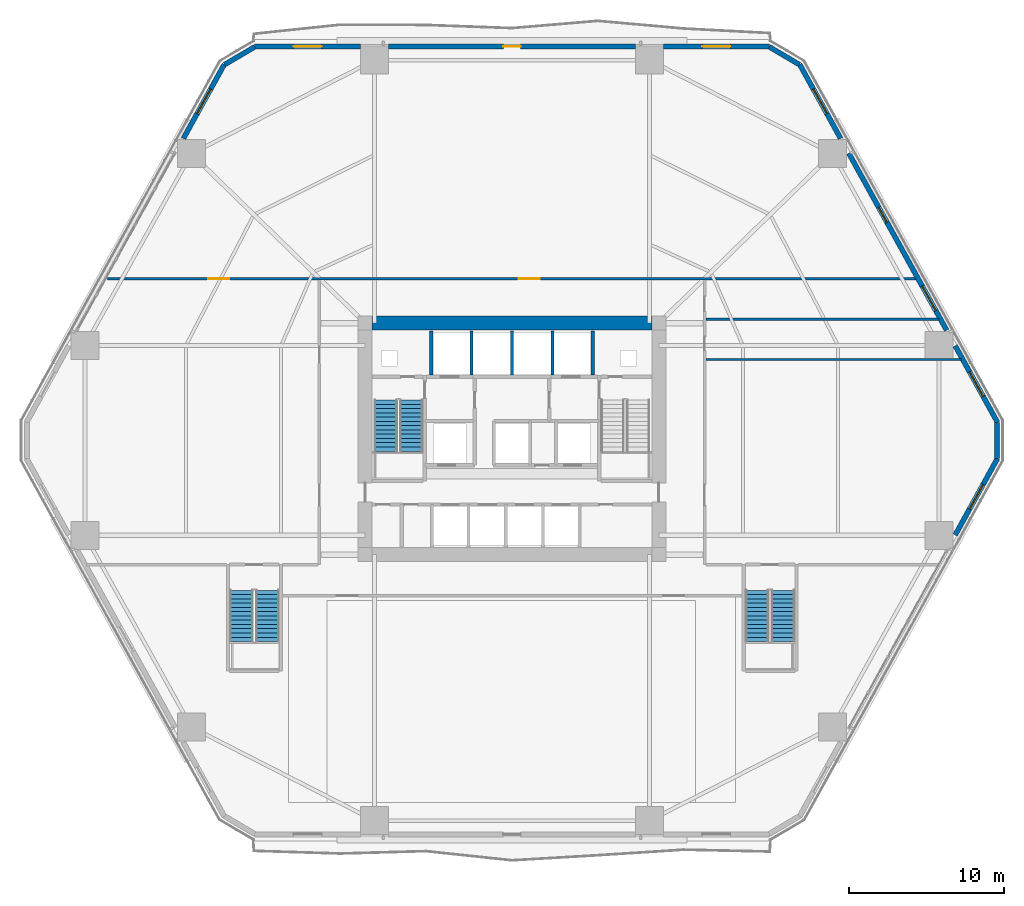
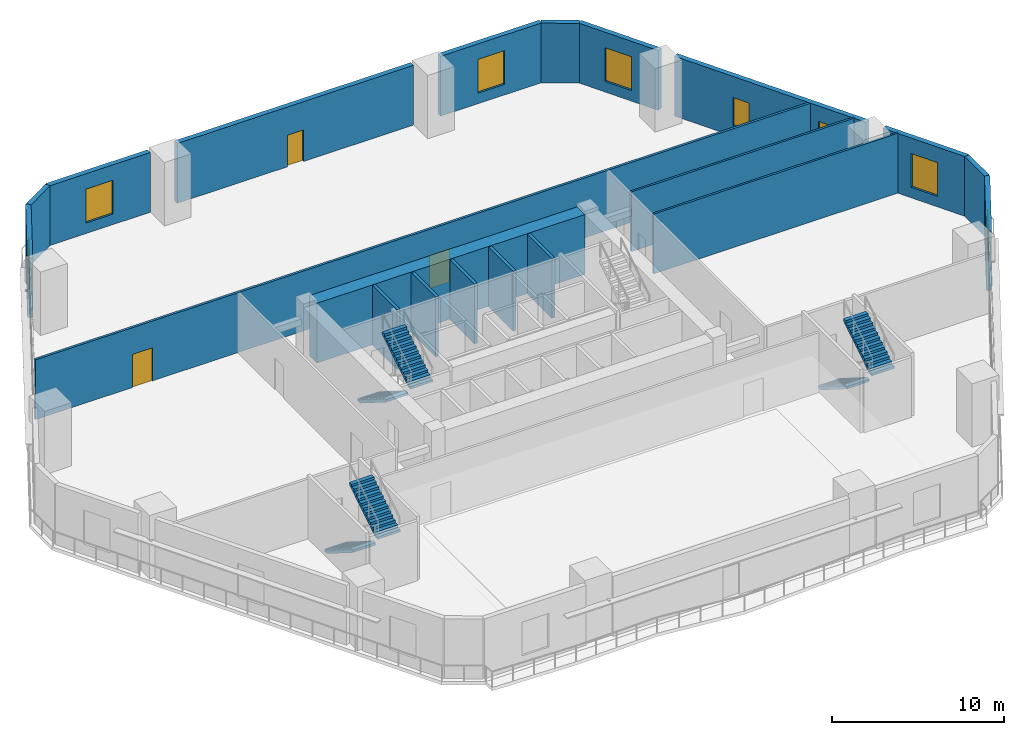
# One storey, part 11 of 21: 20 walls, 8 windows, 6 stair flights, 3 doors, 11 openings, 3 elements without a shape of their own.
"""IFC4 building model written with IfcOpenShell, lengths in metres."""

from ifc_helpers import new_model, si_unit, direction, frame, frame_2d, origin, place, context, subcontext, project, spatial, polyline, rectangle, outline, extrude, material, layer, layer_set, type_object, element, fill, aggregate, save


model = new_model("IFC4")

# Units and contexts
model_context = context("Model", 3, precision=1e-05, world=origin(), true_north=direction((0.0, 1.0)))
body_context = subcontext(model_context, "Body", "Model", "MODEL_VIEW")
ifc_project = project(units=[si_unit("LENGTHUNIT", "METRE"), si_unit("AREAUNIT", "SQUARE_METRE"), si_unit("VOLUMEUNIT", "CUBIC_METRE"), si_unit("PLANEANGLEUNIT", "RADIAN"), si_unit("MASSUNIT", "GRAM", prefix="KILO")], contexts=[model_context])

# Site, building, storey
site_placement = place(None, origin())
site = spatial("IfcSite", under=ifc_project, at=site_placement, CompositionType="ELEMENT")
building_placement = place(site_placement, origin())
building = spatial("IfcBuilding", under=site, at=building_placement, Name="Cinnabar Lancet Tower", CompositionType="ELEMENT")
storey_placement = place(building_placement, frame((0.0, 0.0, 6.0)))
storey = spatial("IfcBuildingStorey", under=building, at=storey_placement, Name="L01", CompositionType="ELEMENT", Elevation=6.0)

# Wall, openings, doors
ifc_material_1 = material(Name="Acoustic twin-stud gypsum partition", Category="gypsum")
ifc_layer_1 = layer(ifc_material_1, 0.159912109375)
ifc_layer_set_1 = layer_set([ifc_layer_1], Name="Acoustic twin-stud gypsum partition")
wall_type_1 = type_object("IfcWallType", Name="ARC-WL-CORR-160", PredefinedType="PARTITIONING", material=ifc_layer_set_1)
wall_1_placement = place(storey_placement, frame((6.345947265625, 36.199951171875, 0.0), z_axis=(0.0, 0.0, 1.0), x_axis=(1.0, 0.0, 0.0)))
wall_1 = element("IfcWall", 1, at=wall_1_placement, inside=storey, type_object=wall_type_1, Name="PW-L01-NHL", PredefinedType="PARTITIONING", context=body_context, shape_type="SweptSolid", body=[
    extrude(rectangle(XDim=52.108154296875, YDim=0.159912109375, at=frame_2d((26.05419921875, 0.0))), origin(), (0.0, 0.0, 1.0), 4.25),
])
opening_1_placement = place(wall_1_placement, frame((6.5, 0.0, 0.0)))
opening_1 = element("IfcOpeningElement", 2, at=opening_1_placement, cuts=wall_1, Name="Opening UD-02", PredefinedType="OPENING", context=body_context, shape_type="SweptSolid", body=[
    extrude(rectangle(XDim=1.35009765625, YDim=2.35009765625, at=frame_2d((0.675048828125, 1.175048828125))), frame((0.0, 0.08984375, 0.0), z_axis=(0.0, -1.0, 0.0), x_axis=(1.0, 0.0, 0.0)), (0.0, 0.0, 1.0), 0.179931640625),
])
opening_2_placement = place(wall_1_placement, frame((26.5, 0.0, 0.0)))
opening_2 = element("IfcOpeningElement", 3, at=opening_2_placement, cuts=wall_1, Name="Opening UD-02", PredefinedType="OPENING", context=body_context, shape_type="SweptSolid", body=[
    extrude(rectangle(XDim=1.35009765625, YDim=2.35009765625, at=frame_2d((0.675048828125, 1.175048828125))), frame((0.0, 0.08984375, 0.0), z_axis=(0.0, -1.0, 0.0), x_axis=(1.0, 0.0, 0.0)), (0.0, 0.0, 1.0), 0.179931640625),
])
ifc_material_2 = material(Name="Double-leaf solid timber penthouse entrance door", Category="wood")
door_type_1 = type_object("IfcDoorType", Name="ARC-DR-UNIT-PH", OperationType="NOTDEFINED", PredefinedType="DOOR", material=ifc_material_2)
door_1_placement = place(opening_1_placement, origin())
door_1 = element("IfcDoor", 4, at=door_1_placement, inside=storey, type_object=door_type_1, Name="DR-L01-NORTH1", OperationType="SINGLE_SWING_LEFT", OverallHeight=2.35009765625, OverallWidth=1.35009765625, PredefinedType="DOOR", context=body_context, shape_type="SweptSolid", body=[
    extrude(rectangle(XDim=1.35009765625, YDim=2.35009765625, at=frame_2d((0.675048828125, 1.175048828125))), frame((0.0, 0.02490234375, 0.0), z_axis=(0.0, -1.0, 0.0), x_axis=(1.0, 0.0, 0.0)), (0.0, 0.0, 1.0), 0.050048828125),
])
fill(opening_1, door_1)
door_2_placement = place(opening_2_placement, origin())
door_2 = element("IfcDoor", 5, at=door_2_placement, inside=storey, type_object=door_type_1, Name="DR-L01-NORTH2", OperationType="SINGLE_SWING_RIGHT", OverallHeight=2.35009765625, OverallWidth=1.35009765625, PredefinedType="DOOR", context=body_context, shape_type="SweptSolid", body=[
    extrude(rectangle(XDim=1.35009765625, YDim=2.35009765625, at=frame_2d((0.675048828125, 1.175048828125))), frame((0.0, 0.02490234375, 0.0), z_axis=(0.0, -1.0, 0.0), x_axis=(1.0, 0.0, 0.0)), (0.0, 0.0, 1.0), 0.050048828125),
])
fill(opening_2, door_2)

# Walls
ifc_material_3 = material(Name="Autoclaved aerated concrete blockwork", Category="masonry")
ifc_layer_2 = layer(ifc_material_3, 0.199951171875)
ifc_layer_set_2 = layer_set([ifc_layer_2], Name="Autoclaved aerated concrete blockwork")
wall_type_2 = type_object("IfcWallType", Name="ARC-WL-SHAFT-200", PredefinedType="PLUMBINGWALL", material=ifc_layer_set_2)
for number, where, z_axis, x_axis, name in (
    (6, (27.199951171875, 30.0, 0.0), (0.0, 0.0, 1.0), (0.0, 1.0, 0.0), "CW-NSH-D1-L01"),
    (7, (29.800048828125, 30.0, 0.0), (0.0, 0.0, 1.0), (0.0, 1.0, 0.0), "CW-NSH-D2-L01"),
    (8, (32.39990234375, 30.0, 0.0), (0.0, 0.0, 1.0), (0.0, 1.0, 0.0), "CW-NSH-D3-L01"),
    (9, (35.0, 30.0, 0.0), (0.0, 0.0, 1.0), (0.0, 1.0, 0.0), "CW-NSH-D4-L01"),
    (10, (37.60009765625, 30.0, 0.0), (0.0, 0.0, 1.0), (0.0, 1.0, 0.0), "CW-NSH-D5-L01"),
):
    element("IfcWall", number, at=place(storey_placement, frame(where, z_axis=z_axis, x_axis=x_axis)), inside=storey, type_object=wall_type_2, Name=name, PredefinedType="PLUMBINGWALL", context=body_context, shape_type="SweptSolid", body=[
        extrude(rectangle(XDim=2.85009765625, YDim=0.199951171875, at=frame_2d((1.425048828125, 0.0))), origin(), (0.0, 0.0, 1.0), 4.25),
    ])
ifc_material_4 = material(Name="Moisture-resistant cement-board plumbing wall", Category="masonry")
ifc_layer_3 = layer(ifc_material_4, 0.139892578125)
ifc_layer_set_3 = layer_set([ifc_layer_3], Name="Moisture-resistant cement-board plumbing wall")
wall_type_3 = type_object("IfcWallType", Name="ARC-WL-WET-140", PredefinedType="PLUMBINGWALL", material=ifc_layer_set_3)
wall_2_placement = place(storey_placement, frame((44.885009765625, 31.0, 0.0), z_axis=(0.0, 0.0, 1.0), x_axis=(1.0, 0.0, 0.0)))
element("IfcWall", 11, at=wall_2_placement, inside=storey, type_object=wall_type_3, Name="PW-L01-WCS", PredefinedType="PLUMBINGWALL", context=body_context, shape_type="SweptSolid", body=[
    extrude(rectangle(XDim=16.44189453125, YDim=0.139892578125, at=frame_2d((8.220947265625, 0.0))), origin(), (0.0, 0.0, 1.0), 4.25),
])
wall_3_placement = place(storey_placement, frame((44.885009765625, 33.60009765625, 0.0), z_axis=(0.0, 0.0, 1.0), x_axis=(1.0, 0.0, 0.0)))
element("IfcWall", 12, at=wall_3_placement, inside=storey, type_object=wall_type_3, Name="PW-L01-WCM", PredefinedType="PLUMBINGWALL", context=body_context, shape_type="SweptSolid", body=[
    extrude(rectangle(XDim=15.006103515625, YDim=0.139892578125, at=frame_2d((7.5029296875, 0.0))), origin(), (0.0, 0.0, 1.0), 4.25),
])
ifc_material_5 = material(Name="Warm buff clay brick", Category="masonry")
ifc_layer_4 = layer(ifc_material_5, 0.320068359375)
ifc_layer_set_4 = layer_set([ifc_layer_4], Name="Warm buff clay brick")
wall_type_4 = type_object("IfcWallType", Name="ENV-WL-BRK-BUF-320", PredefinedType="STANDARD", material=ifc_layer_set_4)
wall_4_placement = place(storey_placement, frame((63.635009765625, 24.64599609375, 0.0), z_axis=(0.0, 0.0, 1.0), x_axis=(0.0, 1.0, 0.0)))
element("IfcWall", 13, at=wall_4_placement, inside=storey, type_object=wall_type_4, Name="L01 Chamfered Corner Brick Pier 3.1", PredefinedType="STANDARD", context=body_context, shape_type="SweptSolid", body=[
    extrude(rectangle(XDim=2.30810546875, YDim=0.320068359375, at=frame_2d((1.154052734375, 0.0))), origin(), (0.0, 0.0, 1.0), 4.25),
])
wall_5_placement = place(storey_placement, frame((50.903076171875, 49.991943359375, 0.0), z_axis=(0.0, 0.0, 1.0), x_axis=(-0.861209017918, 0.508250949293, 0.0)))
element("IfcWall", 14, at=wall_5_placement, inside=storey, type_object=wall_type_4, Name="L01 Chamfered Corner Brick Pier 4.1", PredefinedType="STANDARD", context=body_context, shape_type="SweptSolid", body=[
    extrude(rectangle(XDim=2.2529296875, YDim=0.320068359375, at=frame_2d((1.12646484375, 0.0))), origin(), (0.0, 0.0, 1.0), 4.25),
])
wall_6_placement = place(storey_placement, frame((15.8369140625, 51.136962890625, 0.0), z_axis=(0.0, 0.0, 1.0), x_axis=(-0.861181020205, -0.508298387209, 0.0)))
element("IfcWall", 15, at=wall_6_placement, inside=storey, type_object=wall_type_4, Name="L01 Chamfered Corner Brick Pier 5.1", PredefinedType="STANDARD", context=body_context, shape_type="SweptSolid", body=[
    extrude(rectangle(XDim=2.252685546875, YDim=0.320068359375, at=frame_2d((1.12646484375, 0.0))), origin(), (0.0, 0.0, 1.0), 4.25),
])

# Wall, opening, window
wall_7_placement = place(storey_placement, frame((60.93408203125, 19.7119140625, 0.0), z_axis=(0.0, 0.0, 1.0), x_axis=(0.483638013798, 0.875268114128, 0.0)))
wall_7 = element("IfcWall", 16, at=wall_7_placement, inside=storey, type_object=wall_type_4, Name="L01 Face 2 Masonry Bay Wall 3", PredefinedType="STANDARD", context=body_context, shape_type="SweptSolid", body=[
    extrude(rectangle(XDim=5.6279296875, YDim=0.320068359375, at=frame_2d((2.81396484375, 0.0))), origin(), (0.0, 0.0, 1.0), 4.25),
])
opening_3_placement = place(wall_7_placement, frame((1.9140625, 0.0, 0.75)))
opening_3 = element("IfcOpeningElement", 17, at=opening_3_placement, cuts=wall_7, Name="Opening WN-05", PredefinedType="OPENING", context=body_context, shape_type="SweptSolid", body=[
    extrude(rectangle(XDim=1.800048828125, YDim=2.39990234375, at=frame_2d((0.89990234375, 1.199951171875))), frame((0.0, 0.169921875, 0.0), z_axis=(0.0, -1.0, 0.0), x_axis=(1.0, 0.0, 0.0)), (0.0, 0.0, 1.0), 0.340087890625),
])
ifc_material_6 = material(Name="Thermally broken bronze-anodized aluminium podium lancet window", Category="aluminium")
window_type_1 = type_object("IfcWindowType", Name="ENV-WN-POD-1800", PartitioningType="SINGLE_PANEL", PredefinedType="WINDOW", material=ifc_material_6)
window_1_placement = place(opening_3_placement, origin())
window_1 = element("IfcWindow", 18, at=window_1_placement, inside=storey, type_object=window_type_1, Name="L01 Face 2 Gothic Lancet Window 3", OverallHeight=2.39990234375, OverallWidth=1.800048828125, PartitioningType="SINGLE_PANEL", PredefinedType="WINDOW", context=body_context, shape_type="SweptSolid", body=[
    extrude(rectangle(XDim=1.800048828125, YDim=2.39990234375, at=frame_2d((0.89990234375, 1.199951171875))), frame((0.0, 0.030029296875, 0.0), z_axis=(0.0, -1.0, 0.0), x_axis=(1.0, 0.0, 0.0)), (0.0, 0.0, 1.0), 0.06005859375),
])
fill(opening_3, window_1)

wall_8_placement = place(storey_placement, frame((63.656005859375, 26.9619140625, 0.0), z_axis=(0.0, 0.0, 1.0), x_axis=(-0.483638013798, 0.875268114128, 0.0)))
wall_8 = element("IfcWall", 19, at=wall_8_placement, inside=storey, type_object=wall_type_4, Name="L01 Face 3 Masonry Bay Wall 1", PredefinedType="STANDARD", context=body_context, shape_type="SweptSolid", body=[
    extrude(rectangle(XDim=5.6279296875, YDim=0.320068359375, at=frame_2d((2.81396484375, 0.0))), origin(), (0.0, 0.0, 1.0), 4.25),
])
opening_4_placement = place(wall_8_placement, frame((1.9140625, 0.0, 0.75)))
opening_4 = element("IfcOpeningElement", 20, at=opening_4_placement, cuts=wall_8, Name="Opening WN-05", PredefinedType="OPENING", context=body_context, shape_type="SweptSolid", body=[
    extrude(rectangle(XDim=1.800048828125, YDim=2.39990234375, at=frame_2d((0.89990234375, 1.199951171875))), frame((0.0, 0.169921875, 0.0), z_axis=(0.0, -1.0, 0.0), x_axis=(1.0, 0.0, 0.0)), (0.0, 0.0, 1.0), 0.340087890625),
])
window_2_placement = place(opening_4_placement, origin())
window_2 = element("IfcWindow", 21, at=window_2_placement, inside=storey, type_object=window_type_1, Name="L01 Face 3 Gothic Lancet Window 1", OverallHeight=2.39990234375, OverallWidth=1.800048828125, PartitioningType="SINGLE_PANEL", PredefinedType="WINDOW", context=body_context, shape_type="SweptSolid", body=[
    extrude(rectangle(XDim=1.800048828125, YDim=2.39990234375, at=frame_2d((0.89990234375, 1.199951171875))), frame((0.0, 0.030029296875, 0.0), z_axis=(0.0, -1.0, 0.0), x_axis=(1.0, 0.0, 0.0)), (0.0, 0.0, 1.0), 0.06005859375),
])
fill(opening_4, window_2)

# Wall, openings, windows
wall_9_placement = place(storey_placement, frame((60.381103515625, 32.888916015625, 0.0), z_axis=(0.0, 0.0, 1.0), x_axis=(-0.483690649574, 0.875239027646, 0.0)))
wall_9 = element("IfcWall", 22, at=wall_9_placement, inside=storey, type_object=wall_type_4, Name="L01 Face 3 Masonry Bay Wall 2", PredefinedType="STANDARD", context=body_context, shape_type="SweptSolid", body=[
    extrude(rectangle(XDim=13.014892578125, YDim=0.320068359375, at=frame_2d((6.50732421875, 0.0))), origin(), (0.0, 0.0, 1.0), 4.25),
])
opening_5_placement = place(wall_9_placement, frame((1.43896484375, 0.0, 0.75)))
opening_5 = element("IfcOpeningElement", 23, at=opening_5_placement, cuts=wall_9, Name="Opening WN-05", PredefinedType="OPENING", context=body_context, shape_type="SweptSolid", body=[
    extrude(rectangle(XDim=1.800048828125, YDim=2.39990234375, at=frame_2d((0.89990234375, 1.199951171875))), frame((0.0, 0.169921875, 0.0), z_axis=(0.0, -1.0, 0.0), x_axis=(1.0, 0.0, 0.0)), (0.0, 0.0, 1.0), 0.340087890625),
])
opening_6_placement = place(wall_9_placement, frame((7.943115234375, 0.0, 0.75)))
opening_6 = element("IfcOpeningElement", 24, at=opening_6_placement, cuts=wall_9, Name="Opening WN-04", PredefinedType="OPENING", context=body_context, shape_type="SweptSolid", body=[
    extrude(rectangle(XDim=1.10009765625, YDim=2.0, at=frame_2d((0.550048828125, 1.0))), frame((0.0, 0.169921875, 0.0), z_axis=(0.0, -1.0, 0.0), x_axis=(1.0, 0.0, 0.0)), (0.0, 0.0, 1.0), 0.340087890625),
])
ifc_material_7 = material(Name="Thermally broken bronze-anodized aluminium tall lancet window", Category="aluminium")
window_type_2 = type_object("IfcWindowType", Name="ENV-WN-LANCET-1100", PartitioningType="SINGLE_PANEL", PredefinedType="WINDOW", material=ifc_material_7)
window_3_placement = place(opening_6_placement, origin())
window_3 = element("IfcWindow", 25, at=window_3_placement, inside=storey, type_object=window_type_2, Name="L01 Split-Bay Gothic Lancet Window 1", OverallHeight=2.0, OverallWidth=1.10009765625, PartitioningType="SINGLE_PANEL", PredefinedType="WINDOW", context=body_context, shape_type="SweptSolid", body=[
    extrude(rectangle(XDim=1.10009765625, YDim=2.0, at=frame_2d((0.550048828125, 1.0))), frame((0.0, 0.030029296875, 0.0), z_axis=(0.0, -1.0, 0.0), x_axis=(1.0, 0.0, 0.0)), (0.0, 0.0, 1.0), 0.06005859375),
])
fill(opening_6, window_3)
window_4_placement = place(opening_5_placement, origin())
window_4 = element("IfcWindow", 26, at=window_4_placement, inside=storey, type_object=window_type_1, Name="L01 Face 3 Gothic Lancet Window 2", OverallHeight=2.39990234375, OverallWidth=1.800048828125, PartitioningType="SINGLE_PANEL", PredefinedType="WINDOW", context=body_context, shape_type="SweptSolid", body=[
    extrude(rectangle(XDim=1.800048828125, YDim=2.39990234375, at=frame_2d((0.89990234375, 1.199951171875))), frame((0.0, 0.030029296875, 0.0), z_axis=(0.0, -1.0, 0.0), x_axis=(1.0, 0.0, 0.0)), (0.0, 0.0, 1.0), 0.06005859375),
])
fill(opening_5, window_4)

# Wall, opening, window
wall_10_placement = place(storey_placement, frame((53.556884765625, 45.237060546875, 0.0), z_axis=(0.0, 0.0, 1.0), x_axis=(-0.483675274773, 0.875247524174, 0.0)))
wall_10 = element("IfcWall", 27, at=wall_10_placement, inside=storey, type_object=wall_type_4, Name="L01 Face 3 Masonry Bay Wall 3", PredefinedType="STANDARD", context=body_context, shape_type="SweptSolid", body=[
    extrude(rectangle(XDim=5.449951171875, YDim=0.320068359375, at=frame_2d((2.72509765625, 0.0))), origin(), (0.0, 0.0, 1.0), 4.25),
])
opening_7_placement = place(wall_10_placement, frame((1.824951171875, 0.0, 0.75)))
opening_7 = element("IfcOpeningElement", 28, at=opening_7_placement, cuts=wall_10, Name="Opening WN-05", PredefinedType="OPENING", context=body_context, shape_type="SweptSolid", body=[
    extrude(rectangle(XDim=1.800048828125, YDim=2.39990234375, at=frame_2d((0.89990234375, 1.199951171875))), frame((0.0, 0.169921875, 0.0), z_axis=(0.0, -1.0, 0.0), x_axis=(1.0, 0.0, 0.0)), (0.0, 0.0, 1.0), 0.340087890625),
])
window_5_placement = place(opening_7_placement, origin())
window_5 = element("IfcWindow", 29, at=window_5_placement, inside=storey, type_object=window_type_1, Name="L01 Face 3 Gothic Lancet Window 3", OverallHeight=2.39990234375, OverallWidth=1.800048828125, PartitioningType="SINGLE_PANEL", PredefinedType="WINDOW", context=body_context, shape_type="SweptSolid", body=[
    extrude(rectangle(XDim=1.800048828125, YDim=2.39990234375, at=frame_2d((0.89990234375, 1.199951171875))), frame((0.0, 0.030029296875, 0.0), z_axis=(0.0, -1.0, 0.0), x_axis=(1.0, 0.0, 0.0)), (0.0, 0.0, 1.0), 0.06005859375),
])
fill(opening_7, window_5)

wall_11_placement = place(storey_placement, frame((48.968017578125, 51.159912109375, 0.0), z_axis=(0.0, 0.0, 1.0), x_axis=(-1.0, 0.0, 0.0)))
wall_11 = element("IfcWall", 30, at=wall_11_placement, inside=storey, type_object=wall_type_4, Name="L01 Face 4 Masonry Bay Wall 1", PredefinedType="STANDARD", context=body_context, shape_type="SweptSolid", body=[
    extrude(rectangle(XDim=6.819091796875, YDim=0.320068359375, at=frame_2d((3.40966796875, 0.0))), origin(), (0.0, 0.0, 1.0), 4.25),
])
opening_8_placement = place(wall_11_placement, frame((2.510009765625, 0.0, 0.75)))
opening_8 = element("IfcOpeningElement", 31, at=opening_8_placement, cuts=wall_11, Name="Opening WN-05", PredefinedType="OPENING", context=body_context, shape_type="SweptSolid", body=[
    extrude(rectangle(XDim=1.800048828125, YDim=2.39990234375, at=frame_2d((0.89990234375, 1.199951171875))), frame((0.0, 0.169921875, 0.0), z_axis=(0.0, -1.0, 0.0), x_axis=(1.0, 0.0, 0.0)), (0.0, 0.0, 1.0), 0.340087890625),
])
window_6_placement = place(opening_8_placement, origin())
window_6 = element("IfcWindow", 32, at=window_6_placement, inside=storey, type_object=window_type_1, Name="L01 Face 4 Gothic Lancet Window 1", OverallHeight=2.39990234375, OverallWidth=1.800048828125, PartitioningType="SINGLE_PANEL", PredefinedType="WINDOW", context=body_context, shape_type="SweptSolid", body=[
    extrude(rectangle(XDim=1.800048828125, YDim=2.39990234375, at=frame_2d((0.89990234375, 1.199951171875))), frame((0.0, 0.030029296875, 0.0), z_axis=(0.0, -1.0, 0.0), x_axis=(1.0, 0.0, 0.0)), (0.0, 0.0, 1.0), 0.06005859375),
])
fill(opening_8, window_6)

# Wall, opening, door
wall_12_placement = place(storey_placement, frame((40.341064453125, 51.159912109375, 0.0), z_axis=(0.0, 0.0, 1.0), x_axis=(-1.0, 0.0, 0.0)))
wall_12 = element("IfcWall", 33, at=wall_12_placement, inside=storey, type_object=wall_type_4, Name="L01 Face 4 Masonry Bay Wall 2", PredefinedType="STANDARD", context=body_context, shape_type="SweptSolid", body=[
    extrude(rectangle(XDim=15.882080078125, YDim=0.320068359375, at=frame_2d((7.94091796875, 0.0))), origin(), (0.0, 0.0, 1.0), 4.25),
])
opening_9_placement = place(wall_12_placement, frame((7.39111328125, 0.0, 0.0)))
opening_9 = element("IfcOpeningElement", 34, at=opening_9_placement, cuts=wall_12, Name="Opening TD-01", PredefinedType="OPENING", context=body_context, shape_type="SweptSolid", body=[
    extrude(rectangle(XDim=1.10009765625, YDim=2.25, at=frame_2d((0.550048828125, 1.125))), frame((0.0, 0.169921875, 0.0), z_axis=(0.0, -1.0, 0.0), x_axis=(1.0, 0.0, 0.0)), (0.0, 0.0, 1.0), 0.340087890625),
])
ifc_material_8 = material(Name="Thermally broken low-E glazed balcony terrace door", Category="wood")
door_type_2 = type_object("IfcDoorType", Name="ARC-DR-BALC", OperationType="NOTDEFINED", PredefinedType="DOOR", material=ifc_material_8)
door_3_placement = place(opening_9_placement, origin())
door_3 = element("IfcDoor", 35, at=door_3_placement, inside=storey, type_object=door_type_2, Name="L01 Face 4 Glazed Terrace Door", OperationType="SINGLE_SWING_RIGHT", OverallHeight=2.25, OverallWidth=1.10009765625, PredefinedType="DOOR", context=body_context, shape_type="SweptSolid", body=[
    extrude(rectangle(XDim=1.10009765625, YDim=2.25, at=frame_2d((0.550048828125, 1.125))), frame((0.0, 0.02490234375, 0.0), z_axis=(0.0, -1.0, 0.0), x_axis=(1.0, 0.0, 0.0)), (0.0, 0.0, 1.0), 0.050048828125),
])
fill(opening_9, door_3)

# Wall, opening, window
wall_13_placement = place(storey_placement, frame((22.65087890625, 51.159912109375, 0.0), z_axis=(0.0, 0.0, 1.0), x_axis=(-1.0, 0.0, 0.0)))
wall_13 = element("IfcWall", 36, at=wall_13_placement, inside=storey, type_object=wall_type_4, Name="L01 Face 4 Masonry Bay Wall 3", PredefinedType="STANDARD", context=body_context, shape_type="SweptSolid", body=[
    extrude(rectangle(XDim=6.81884765625, YDim=0.320068359375, at=frame_2d((3.409423828125, 0.0))), origin(), (0.0, 0.0, 1.0), 4.25),
])
opening_10_placement = place(wall_13_placement, frame((2.509033203125, 0.0, 0.75)))
opening_10 = element("IfcOpeningElement", 37, at=opening_10_placement, cuts=wall_13, Name="Opening WN-05", PredefinedType="OPENING", context=body_context, shape_type="SweptSolid", body=[
    extrude(rectangle(XDim=1.800048828125, YDim=2.39990234375, at=frame_2d((0.89990234375, 1.199951171875))), frame((0.0, 0.169921875, 0.0), z_axis=(0.0, -1.0, 0.0), x_axis=(1.0, 0.0, 0.0)), (0.0, 0.0, 1.0), 0.340087890625),
])
window_7_placement = place(opening_10_placement, origin())
window_7 = element("IfcWindow", 38, at=window_7_placement, inside=storey, type_object=window_type_1, Name="L01 Face 4 Gothic Lancet Window 3", OverallHeight=2.39990234375, OverallWidth=1.800048828125, PartitioningType="SINGLE_PANEL", PredefinedType="WINDOW", context=body_context, shape_type="SweptSolid", body=[
    extrude(rectangle(XDim=1.800048828125, YDim=2.39990234375, at=frame_2d((0.89990234375, 1.199951171875))), frame((0.0, 0.030029296875, 0.0), z_axis=(0.0, -1.0, 0.0), x_axis=(1.0, 0.0, 0.0)), (0.0, 0.0, 1.0), 0.06005859375),
])
fill(opening_10, window_7)

wall_14_placement = place(storey_placement, frame((13.87890625, 50.007080078125, 0.0), z_axis=(0.0, 0.0, 1.0), x_axis=(-0.483675274773, -0.875247524174, 0.0)))
wall_14 = element("IfcWall", 39, at=wall_14_placement, inside=storey, type_object=wall_type_4, Name="L01 Face 5 Masonry Bay Wall 1", PredefinedType="STANDARD", context=body_context, shape_type="SweptSolid", body=[
    extrude(rectangle(XDim=5.449951171875, YDim=0.320068359375, at=frame_2d((2.72509765625, 0.0))), origin(), (0.0, 0.0, 1.0), 4.25),
])
opening_11_placement = place(wall_14_placement, frame((1.824951171875, 0.0, 0.75)))
opening_11 = element("IfcOpeningElement", 40, at=opening_11_placement, cuts=wall_14, Name="Opening WN-05", PredefinedType="OPENING", context=body_context, shape_type="SweptSolid", body=[
    extrude(rectangle(XDim=1.800048828125, YDim=2.39990234375, at=frame_2d((0.89990234375, 1.199951171875))), frame((0.0, 0.169921875, 0.0), z_axis=(0.0, -1.0, 0.0), x_axis=(1.0, 0.0, 0.0)), (0.0, 0.0, 1.0), 0.340087890625),
])
window_8_placement = place(opening_11_placement, origin())
window_8 = element("IfcWindow", 41, at=window_8_placement, inside=storey, type_object=window_type_1, Name="L01 Face 5 Gothic Lancet Window 1", OverallHeight=2.39990234375, OverallWidth=1.800048828125, PartitioningType="SINGLE_PANEL", PredefinedType="WINDOW", context=body_context, shape_type="SweptSolid", body=[
    extrude(rectangle(XDim=1.800048828125, YDim=2.39990234375, at=frame_2d((0.89990234375, 1.199951171875))), frame((0.0, 0.030029296875, 0.0), z_axis=(0.0, -1.0, 0.0), x_axis=(1.0, 0.0, 0.0)), (0.0, 0.0, 1.0), 0.06005859375),
])
fill(opening_11, window_8)

# Wall
ifc_material_9 = material(Name="Concrete C80/95", Category="concrete")
ifc_layer_5 = layer(ifc_material_9, 0.89990234375)
ifc_layer_set_5 = layer_set([ifc_layer_5], Name="Concrete C80/95")
wall_type_5 = type_object("IfcWallType", Name="STR-WL-CORE-900", PredefinedType="SHEAR", material=ifc_layer_set_5)
wall_15_placement = place(storey_placement, frame((23.39990234375, 33.35009765625, 0.0), z_axis=(0.0, 0.0, 1.0), x_axis=(1.0, 0.0, 0.0)))
element("IfcWall", 42, at=wall_15_placement, inside=storey, type_object=wall_type_5, Name="L01 Core Shear Wall N", PredefinedType="SHEAR", context=body_context, shape_type="SweptSolid", body=[
    extrude(rectangle(XDim=18.0, YDim=0.89990234375, at=frame_2d((9.0, 0.0))), origin(), (0.0, 0.0, 1.0), 4.25),
])

# Stair, stair flights
ifc_material_10 = material(Name="Concrete C40/50", Category="concrete")
stair_type_1 = type_object("IfcStairType", Name="ST-CORE", PredefinedType="HALF_TURN_STAIR", material=ifc_material_10)
stair_1_placement = place(storey_placement, origin())
stair_1 = element("IfcStair", 43, at=stair_1_placement, inside=storey, type_object=stair_type_1, Name="L01 ST-1", PredefinedType="HALF_TURN_STAIR")
ifc_material_11 = material(Name="Concrete C40/50", Category="concrete")
stair_flight_type_1 = type_object("IfcStairFlightType", Name="FLIGHT-CORE", PredefinedType="STRAIGHT", material=ifc_material_11)
stair_flight_1_placement = place(storey_placement, frame((24.27490234375, 28.39990234375, 0.0), z_axis=(0.0, 0.0, 1.0), x_axis=(0.0, -1.0, 0.0)))
stair_flight_1 = element("IfcStairFlight", 44, at=stair_flight_1_placement, type_object=stair_flight_type_1, Name="ST-1 flight 1", NumberOfRisers=13, NumberOfTreads=12, PredefinedType="STRAIGHT", RiserHeight=0.173076923, TreadLength=0.275, context=body_context, shape_type="SweptSolid", body=[
    extrude(outline(polyline([(0.0, 0.0), (0.0, 0.173095703125), (0.27490234375, 0.173095703125), (0.27490234375, 0.34619140625), (0.550048828125, 0.34619140625), (0.550048828125, 0.519287109375), (0.824951171875, 0.519287109375), (0.824951171875, 0.6923828125), (1.10009765625, 0.6923828125), (1.10009765625, 0.865478515625), (1.375, 0.865478515625), (1.375, 1.03857421875), (1.64990234375, 1.03857421875), (1.64990234375, 1.21142578125), (1.925048828125, 1.21142578125), (1.925048828125, 1.384521484375), (2.199951171875, 1.384521484375), (2.199951171875, 1.5576171875), (2.47509765625, 1.5576171875), (2.47509765625, 1.730712890625), (2.75, 1.730712890625), (2.75, 1.90380859375), (3.02490234375, 1.90380859375), (3.02490234375, 2.076904296875), (3.300048828125, 2.076904296875), (3.300048828125, 2.25), (3.300048828125, 1.89990234375), (0.281494140625, 0.0), (0.0, 0.0)])), frame((0.0, 0.75, 0.0), z_axis=(0.0, -1.0, 0.0), x_axis=(1.0, 0.0, 0.0)), (0.0, 0.0, 1.0), 1.5),
])
stair_flight_2_placement = place(storey_placement, frame((25.925048828125, 25.10009765625, 2.25), z_axis=(0.0, 0.0, 1.0), x_axis=(0.0, 1.0, 0.0)))
stair_flight_2 = element("IfcStairFlight", 45, at=stair_flight_2_placement, type_object=stair_flight_type_1, Name="ST-1 flight 2", NumberOfRisers=13, NumberOfTreads=12, PredefinedType="STRAIGHT", RiserHeight=0.173076923, TreadLength=0.275, context=body_context, shape_type="SweptSolid", body=[
    extrude(outline(polyline([(0.0, 0.0), (0.0, 0.173095703125), (0.27490234375, 0.173095703125), (0.27490234375, 0.34619140625), (0.550048828125, 0.34619140625), (0.550048828125, 0.519287109375), (0.824951171875, 0.519287109375), (0.824951171875, 0.6923828125), (1.10009765625, 0.6923828125), (1.10009765625, 0.865478515625), (1.375, 0.865478515625), (1.375, 1.03857421875), (1.64990234375, 1.03857421875), (1.64990234375, 1.21142578125), (1.925048828125, 1.21142578125), (1.925048828125, 1.384521484375), (2.199951171875, 1.384521484375), (2.199951171875, 1.5576171875), (2.47509765625, 1.5576171875), (2.47509765625, 1.730712890625), (2.75, 1.730712890625), (2.75, 1.90380859375), (3.02490234375, 1.90380859375), (3.02490234375, 2.076904296875), (3.300048828125, 2.076904296875), (3.300048828125, 2.25), (3.300048828125, 1.89990234375), (0.281494140625, 0.0), (0.0, 0.0)])), frame((0.0, 0.75, 0.0), z_axis=(0.0, -1.0, 0.0), x_axis=(1.0, 0.0, 0.0)), (0.0, 0.0, 1.0), 1.5),
])
aggregate(stair_1, [stair_flight_1, stair_flight_2])

ifc_material_12 = material(Name="Concrete C40/50", Category="concrete")
stair_type_2 = type_object("IfcStairType", Name="ST-POD", PredefinedType="HALF_TURN_STAIR", material=ifc_material_12)
stair_2_placement = place(storey_placement, origin())
stair_2 = element("IfcStair", 46, at=stair_2_placement, inside=storey, type_object=stair_type_2, Name="L01 ST-3", PredefinedType="HALF_TURN_STAIR")
ifc_material_13 = material(Name="Concrete C40/50", Category="concrete")
stair_flight_type_2 = type_object("IfcStairFlightType", Name="FLIGHT-POD", PredefinedType="STRAIGHT", material=ifc_material_13)
stair_flight_3_placement = place(storey_placement, frame((14.985107421875, 16.14990234375, 0.0), z_axis=(0.0, 0.0, 1.0), x_axis=(0.0, -1.0, 0.0)))
stair_flight_3 = element("IfcStairFlight", 47, at=stair_flight_3_placement, type_object=stair_flight_type_2, Name="ST-3 flight 1", NumberOfRisers=13, NumberOfTreads=12, PredefinedType="STRAIGHT", RiserHeight=0.173076923, TreadLength=0.275, context=body_context, shape_type="SweptSolid", body=[
    extrude(outline(polyline([(0.0, 0.0), (0.0, 0.173095703125), (0.27490234375, 0.173095703125), (0.27490234375, 0.34619140625), (0.550048828125, 0.34619140625), (0.550048828125, 0.519287109375), (0.824951171875, 0.519287109375), (0.824951171875, 0.6923828125), (1.10009765625, 0.6923828125), (1.10009765625, 0.865478515625), (1.375, 0.865478515625), (1.375, 1.03857421875), (1.64990234375, 1.03857421875), (1.64990234375, 1.21142578125), (1.925048828125, 1.21142578125), (1.925048828125, 1.384521484375), (2.199951171875, 1.384521484375), (2.199951171875, 1.5576171875), (2.47509765625, 1.5576171875), (2.47509765625, 1.730712890625), (2.75, 1.730712890625), (2.75, 1.90380859375), (3.02490234375, 1.90380859375), (3.02490234375, 2.076904296875), (3.300048828125, 2.076904296875), (3.300048828125, 2.25), (3.300048828125, 1.89990234375), (0.281494140625, 0.0), (0.0, 0.0)])), frame((0.0, 0.760009765625, 0.0), z_axis=(0.0, -1.0, 0.0), x_axis=(1.0, 0.0, 0.0)), (0.0, 0.0, 1.0), 1.52001953125),
])
stair_flight_4_placement = place(storey_placement, frame((16.655029296875, 12.85009765625, 2.25), z_axis=(0.0, 0.0, 1.0), x_axis=(0.0, 1.0, 0.0)))
stair_flight_4 = element("IfcStairFlight", 48, at=stair_flight_4_placement, type_object=stair_flight_type_2, Name="ST-3 flight 2", NumberOfRisers=13, NumberOfTreads=12, PredefinedType="STRAIGHT", RiserHeight=0.173076923, TreadLength=0.275, context=body_context, shape_type="SweptSolid", body=[
    extrude(outline(polyline([(0.0, 0.0), (0.0, 0.173095703125), (0.27490234375, 0.173095703125), (0.27490234375, 0.34619140625), (0.550048828125, 0.34619140625), (0.550048828125, 0.519287109375), (0.824951171875, 0.519287109375), (0.824951171875, 0.6923828125), (1.10009765625, 0.6923828125), (1.10009765625, 0.865478515625), (1.375, 0.865478515625), (1.375, 1.03857421875), (1.64990234375, 1.03857421875), (1.64990234375, 1.21142578125), (1.925048828125, 1.21142578125), (1.925048828125, 1.384521484375), (2.199951171875, 1.384521484375), (2.199951171875, 1.5576171875), (2.47509765625, 1.5576171875), (2.47509765625, 1.730712890625), (2.75, 1.730712890625), (2.75, 1.90380859375), (3.02490234375, 1.90380859375), (3.02490234375, 2.076904296875), (3.300048828125, 2.076904296875), (3.300048828125, 2.25), (3.300048828125, 1.89990234375), (0.281494140625, 0.0), (0.0, 0.0)])), frame((0.0, 0.760009765625, 0.0), z_axis=(0.0, -1.0, 0.0), x_axis=(1.0, 0.0, 0.0)), (0.0, 0.0, 1.0), 1.52001953125),
])
aggregate(stair_2, [stair_flight_3, stair_flight_4])

stair_3_placement = place(storey_placement, origin())
stair_3 = element("IfcStair", 49, at=stair_3_placement, inside=storey, type_object=stair_type_2, Name="L01 ST-4", PredefinedType="HALF_TURN_STAIR")
stair_flight_5_placement = place(storey_placement, frame((48.18505859375, 16.14990234375, 0.0), z_axis=(0.0, 0.0, 1.0), x_axis=(0.0, -1.0, 0.0)))
stair_flight_5 = element("IfcStairFlight", 50, at=stair_flight_5_placement, type_object=stair_flight_type_2, Name="ST-4 flight 1", NumberOfRisers=13, NumberOfTreads=12, PredefinedType="STRAIGHT", RiserHeight=0.173076923, TreadLength=0.275, context=body_context, shape_type="SweptSolid", body=[
    extrude(outline(polyline([(0.0, 0.0), (0.0, 0.173095703125), (0.27490234375, 0.173095703125), (0.27490234375, 0.34619140625), (0.550048828125, 0.34619140625), (0.550048828125, 0.519287109375), (0.824951171875, 0.519287109375), (0.824951171875, 0.6923828125), (1.10009765625, 0.6923828125), (1.10009765625, 0.865478515625), (1.375, 0.865478515625), (1.375, 1.03857421875), (1.64990234375, 1.03857421875), (1.64990234375, 1.21142578125), (1.925048828125, 1.21142578125), (1.925048828125, 1.384521484375), (2.199951171875, 1.384521484375), (2.199951171875, 1.5576171875), (2.47509765625, 1.5576171875), (2.47509765625, 1.730712890625), (2.75, 1.730712890625), (2.75, 1.90380859375), (3.02490234375, 1.90380859375), (3.02490234375, 2.076904296875), (3.300048828125, 2.076904296875), (3.300048828125, 2.25), (3.300048828125, 1.89990234375), (0.281494140625, 0.0), (0.0, 0.0)])), frame((0.0, 0.760009765625, 0.0), z_axis=(0.0, -1.0, 0.0), x_axis=(1.0, 0.0, 0.0)), (0.0, 0.0, 1.0), 1.52001953125),
])
stair_flight_6_placement = place(storey_placement, frame((49.85498046875, 12.85009765625, 2.25), z_axis=(0.0, 0.0, 1.0), x_axis=(0.0, 1.0, 0.0)))
stair_flight_6 = element("IfcStairFlight", 51, at=stair_flight_6_placement, type_object=stair_flight_type_2, Name="ST-4 flight 2", NumberOfRisers=13, NumberOfTreads=12, PredefinedType="STRAIGHT", RiserHeight=0.173076923, TreadLength=0.275, context=body_context, shape_type="SweptSolid", body=[
    extrude(outline(polyline([(0.0, 0.0), (0.0, 0.173095703125), (0.27490234375, 0.173095703125), (0.27490234375, 0.34619140625), (0.550048828125, 0.34619140625), (0.550048828125, 0.519287109375), (0.824951171875, 0.519287109375), (0.824951171875, 0.6923828125), (1.10009765625, 0.6923828125), (1.10009765625, 0.865478515625), (1.375, 0.865478515625), (1.375, 1.03857421875), (1.64990234375, 1.03857421875), (1.64990234375, 1.21142578125), (1.925048828125, 1.21142578125), (1.925048828125, 1.384521484375), (2.199951171875, 1.384521484375), (2.199951171875, 1.5576171875), (2.47509765625, 1.5576171875), (2.47509765625, 1.730712890625), (2.75, 1.730712890625), (2.75, 1.90380859375), (3.02490234375, 1.90380859375), (3.02490234375, 2.076904296875), (3.300048828125, 2.076904296875), (3.300048828125, 2.25), (3.300048828125, 1.89990234375), (0.281494140625, 0.0), (0.0, 0.0)])), frame((0.0, 0.760009765625, 0.0), z_axis=(0.0, -1.0, 0.0), x_axis=(1.0, 0.0, 0.0)), (0.0, 0.0, 1.0), 1.52001953125),
])
aggregate(stair_3, [stair_flight_5, stair_flight_6])

save(model, "model.ifc")
